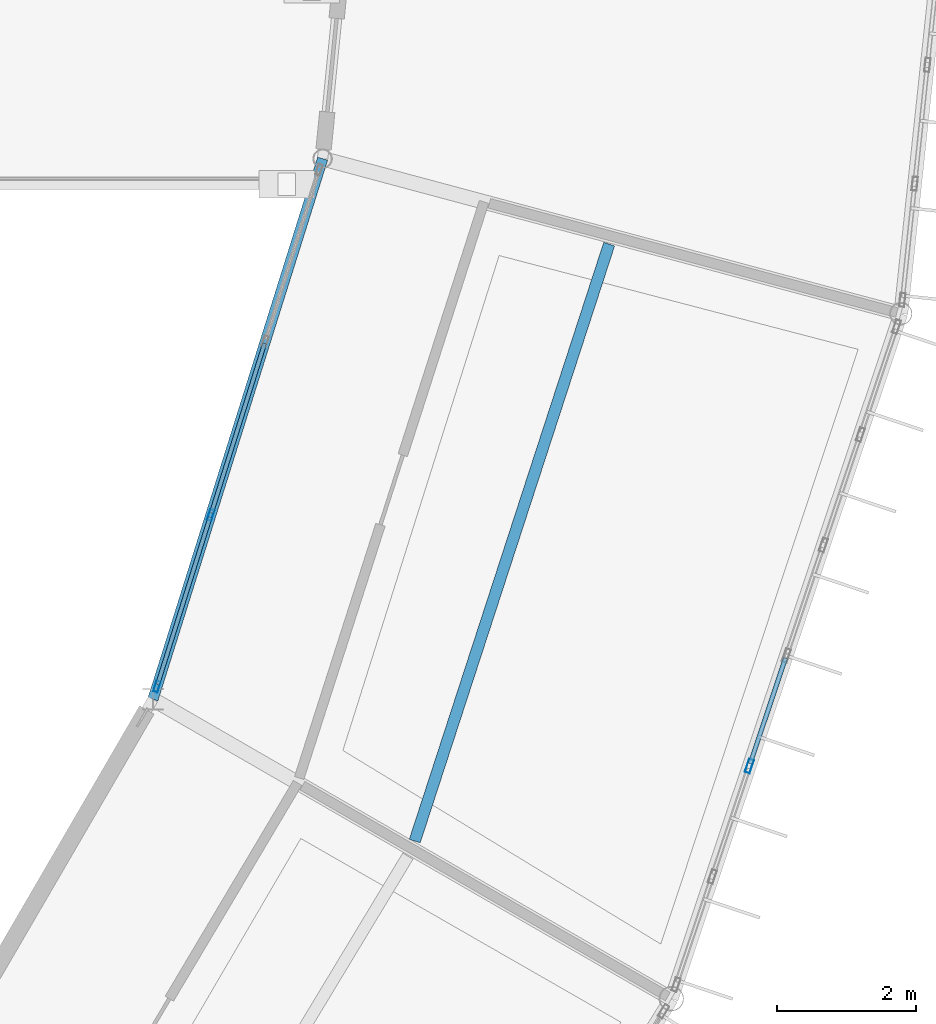
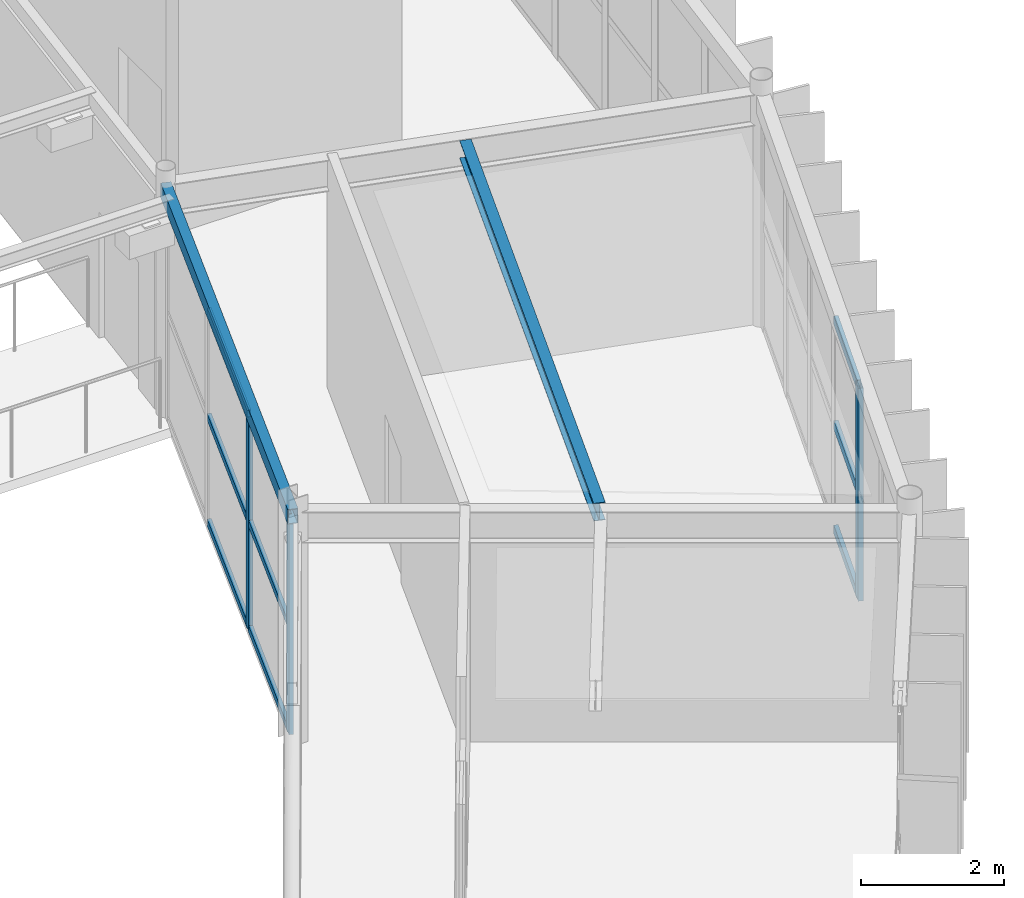
# One storey, part 61 of 148: 12 members, 2 beams, 2 elements without a shape of their own.
"""IFC4 building model written with IfcOpenShell, lengths in metres."""

from ifc_helpers import new_model, si_unit, direction, frame, origin, origin_2d, place, context, subcontext, project, spatial, hollow_rectangle, i_section, extrude, material, material_profile, profile_set, type_object, element, aggregate, save


model = new_model("IFC4")

# Units and contexts
model_context = context("Model", 3, precision=1e-05, world=origin(), true_north=direction((0.0, 1.0)))
body_context = subcontext(model_context, "Body", "Model", "MODEL_VIEW")
ifc_project = project(units=[si_unit("LENGTHUNIT", "METRE"), si_unit("AREAUNIT", "SQUARE_METRE"), si_unit("VOLUMEUNIT", "CUBIC_METRE"), si_unit("PLANEANGLEUNIT", "RADIAN"), si_unit("MASSUNIT", "GRAM", prefix="KILO")], contexts=[model_context])

# Site, building, storey
site_placement = place(None, origin())
site = spatial("IfcSite", under=ifc_project, at=site_placement, CompositionType="ELEMENT")
building_placement = place(site_placement, origin())
building = spatial("IfcBuilding", under=site, at=building_placement, Name="Karori Crest Natural Sciences Institute", CompositionType="ELEMENT")
storey_placement = place(building_placement, frame((0.0, 0.0, 4.89990234375)))
storey = spatial("IfcBuildingStorey", under=building, at=storey_placement, Name="L01", CompositionType="ELEMENT", Elevation=4.89990234375)

# Beams
ifc_material_1 = material(Name="Structural steel AS/NZS 3679.1 Grade 350", Category="steel")
ifc_material_profile_1 = material_profile(ifc_material_1, i_section(OverallWidth=0.1650390625, OverallDepth=0.303955078125, WebThickness=0.006103515625, FlangeThickness=0.01025390625, FilletRadius=0.010986328125, at=origin_2d()), Name="310UB40.4")
ifc_profile_set_1 = profile_set([ifc_material_profile_1], Name="Structural steel AS/NZS 3679.1 Grade 350")
beam_type_1 = type_object("IfcBeamType", Name="BT-10", PredefinedType="BEAM", material=ifc_profile_set_1)
beam_1_placement = place(storey_placement, frame((91.2919921875, 31.76416015625, 3.7880859375), z_axis=(0.309698753032, 0.950834729262, 0.0), x_axis=(-0.950834729262, 0.309698753032, 0.0)))
element("IfcBeam", 1, at=beam_1_placement, inside=storey, type_object=beam_type_1, Name="Beam B-0267", PredefinedType="BEAM", context=body_context, shape_type="SweptSolid", body=[
    extrude(i_section(OverallWidth=0.1650390625, OverallDepth=0.303955078125, WebThickness=0.006103515625, FlangeThickness=0.01025390625, FilletRadius=0.010986328125, at=origin_2d()), origin(), (0.0, 0.0, 1.0), 9.018310546875),
])
ifc_material_2 = material(Name="Hollow structural steel AS/NZS 1163 Grade C350", Category="steel")
ifc_material_profile_2 = material_profile(ifc_material_2, hollow_rectangle(XDim=0.14990234375, YDim=0.25, WallThickness=0.009033203125, at=origin_2d()), Name="RHS250x150x9")
ifc_profile_set_2 = profile_set([ifc_material_profile_2], Name="Hollow structural steel AS/NZS 1163 Grade C350")
beam_type_2 = type_object("IfcBeamType", Name="BT-16", PredefinedType="SPANDREL", material=ifc_profile_set_2)
beam_2_placement = place(storey_placement, frame((87.531005859375, 33.800048828125, 3.7900390625), z_axis=(0.299468576182, 0.954106163841, 0.0), x_axis=(-0.954106163841, 0.299468576182, 0.0)))
element("IfcBeam", 2, at=beam_2_placement, inside=storey, type_object=beam_type_2, Name="Beam B-0265", PredefinedType="SPANDREL", context=body_context, shape_type="SweptSolid", body=[
    extrude(hollow_rectangle(XDim=0.14990234375, YDim=0.25, WallThickness=0.009033203125, at=origin_2d()), origin(), (0.0, 0.0, 1.0), 8.139404296875),
])

# Curtain wall, members
ifc_material_3 = material(Name="Anodised architectural aluminium 6063-T6", Category="aluminium")
curtain_wall_type_1 = type_object("IfcCurtainWallType", Name="CWT-13", PredefinedType="NOTDEFINED", material=ifc_material_3)
curtain_wall_1_placement = place(storey_placement, origin())
curtain_wall_1 = element("IfcCurtainWall", 3, at=curtain_wall_1_placement, inside=storey, type_object=curtain_wall_type_1, Name="Curtain wall CW-0063", PredefinedType="NOTDEFINED")
ifc_material_profile_3 = material_profile(ifc_material_3, hollow_rectangle(XDim=0.06494140625, YDim=0.159912109375, WallThickness=0.00390625, at=origin_2d()), Name="CWM160x65x4")
ifc_profile_set_3 = profile_set([ifc_material_profile_3], Name="Anodised architectural aluminium 6063-T6")
member_type_1 = type_object("IfcMemberType", Name="CWM-01", PredefinedType="MULLION", material=ifc_profile_set_3)
member_1_placement = place(storey_placement, frame((87.58837890625, 33.983154296875, 0.0), z_axis=(0.0, 0.0, 1.0), x_axis=(-0.954103649609, 0.2994765864, 0.0)))
member_1 = element("IfcMember", 4, at=member_1_placement, type_object=member_type_1, Name="CW-0063 mullion 1", PredefinedType="MULLION", context=body_context, shape_type="SweptSolid", body=[
    extrude(hollow_rectangle(XDim=0.06494140625, YDim=0.159912109375, WallThickness=0.00390625, at=origin_2d()), origin(), (0.0, 0.0, 1.0), 3.650146484375),
])
member_2_placement = place(storey_placement, frame((88.36181640625, 36.447265625, 0.0), z_axis=(0.0, 0.0, 1.0), x_axis=(-0.954103649609, 0.2994765864, 0.0)))
member_2 = element("IfcMember", 5, at=member_2_placement, type_object=member_type_1, Name="CW-0063 mullion 2", PredefinedType="MULLION", context=body_context, shape_type="SweptSolid", body=[
    extrude(hollow_rectangle(XDim=0.06494140625, YDim=0.159912109375, WallThickness=0.00390625, at=origin_2d()), origin(), (0.0, 0.0, 1.0), 3.650146484375),
])

# Curtain wall, member
curtain_wall_type_2 = type_object("IfcCurtainWallType", Name="CWT-03", PredefinedType="NOTDEFINED", material=ifc_material_3)
curtain_wall_2_placement = place(storey_placement, origin())
curtain_wall_2 = element("IfcCurtainWall", 6, at=curtain_wall_2_placement, inside=storey, type_object=curtain_wall_type_2, Name="Curtain wall CW-0062", PredefinedType="NOTDEFINED")
ifc_material_profile_4 = material_profile(ifc_material_3, hollow_rectangle(XDim=0.074951171875, YDim=0.199951171875, WallThickness=0.0048828125, at=origin_2d()), Name="CWM200x75x5")
ifc_profile_set_4 = profile_set([ifc_material_profile_4], Name="Anodised architectural aluminium 6063-T6")
member_type_2 = type_object("IfcMemberType", Name="CWM-02", PredefinedType="MULLION", material=ifc_profile_set_4)
member_3_placement = place(storey_placement, frame((96.097900390625, 32.840576171875, 0.0), z_axis=(0.0, 0.0, 1.0), x_axis=(0.948196219586, -0.317685267462, 0.0)))
member_3 = element("IfcMember", 7, at=member_3_placement, type_object=member_type_2, Name="CW-0062 mullion 5", PredefinedType="MULLION", context=body_context, shape_type="SweptSolid", body=[
    extrude(hollow_rectangle(XDim=0.074951171875, YDim=0.199951171875, WallThickness=0.0048828125, at=origin_2d()), origin(), (0.0, 0.0, 1.0), 3.625),
])

# Member
ifc_material_profile_5 = material_profile(ifc_material_3, hollow_rectangle(XDim=0.06005859375, YDim=0.1201171875, WallThickness=0.00390625, at=origin_2d()), Name="CWT120x60x4")
ifc_profile_set_5 = profile_set([ifc_material_profile_5], Name="Anodised architectural aluminium 6063-T6")
member_type_3 = type_object("IfcMemberType", Name="CWT-TR1", PredefinedType="USERDEFINED", material=ifc_profile_set_5)
member_4_placement = place(storey_placement, frame((87.59814453125, 34.01416015625, 0.030029296875), z_axis=(0.299450859361, 0.9541117245, 0.0), x_axis=(-0.9541117245, 0.299450859361, 0.0)))
member_4 = element("IfcMember", 8, at=member_4_placement, type_object=member_type_3, Name="CW-0063 transom 1.1", ObjectType="TRANSOM", PredefinedType="USERDEFINED", context=body_context, shape_type="SweptSolid", body=[
    extrude(hollow_rectangle(XDim=0.06005859375, YDim=0.1201171875, WallThickness=0.00390625, at=origin_2d()), origin(), (0.0, 0.0, 1.0), 2.517578125),
])

member_5_placement = place(storey_placement, frame((87.59814453125, 34.01416015625, 1.8251953125), z_axis=(0.299450859361, 0.9541117245, 0.0), x_axis=(-0.9541117245, 0.299450859361, 0.0)))
member_5 = element("IfcMember", 9, at=member_5_placement, type_object=member_type_3, Name="CW-0063 transom 1.2", ObjectType="TRANSOM", PredefinedType="USERDEFINED", context=body_context, shape_type="SweptSolid", body=[
    extrude(hollow_rectangle(XDim=0.06005859375, YDim=0.1201171875, WallThickness=0.00390625, at=origin_2d()), origin(), (0.0, 0.0, 1.0), 2.517578125),
])

member_6_placement = place(storey_placement, frame((87.59814453125, 34.01416015625, 3.6201171875), z_axis=(0.299450859361, 0.9541117245, 0.0), x_axis=(-0.9541117245, 0.299450859361, 0.0)))
member_6 = element("IfcMember", 10, at=member_6_placement, type_object=member_type_3, Name="CW-0063 transom 1.3", ObjectType="TRANSOM", PredefinedType="USERDEFINED", context=body_context, shape_type="SweptSolid", body=[
    extrude(hollow_rectangle(XDim=0.06005859375, YDim=0.1201171875, WallThickness=0.00390625, at=origin_2d()), origin(), (0.0, 0.0, 1.0), 2.517578125),
])

member_7_placement = place(storey_placement, frame((88.37158203125, 36.478271484375, 0.030029296875), z_axis=(0.299463118482, 0.954107876851, 0.0), x_axis=(-0.954107876851, 0.299463118482, 0.0)))
member_7 = element("IfcMember", 11, at=member_7_placement, type_object=member_type_3, Name="CW-0063 transom 2.1", ObjectType="TRANSOM", PredefinedType="USERDEFINED", context=body_context, shape_type="SweptSolid", body=[
    extrude(hollow_rectangle(XDim=0.06005859375, YDim=0.1201171875, WallThickness=0.00390625, at=origin_2d()), origin(), (0.0, 0.0, 1.0), 2.550048828125),
])

member_8_placement = place(storey_placement, frame((88.37158203125, 36.478271484375, 1.8251953125), z_axis=(0.299463118482, 0.954107876851, 0.0), x_axis=(-0.954107876851, 0.299463118482, 0.0)))
member_8 = element("IfcMember", 12, at=member_8_placement, type_object=member_type_3, Name="CW-0063 transom 2.2", ObjectType="TRANSOM", PredefinedType="USERDEFINED", context=body_context, shape_type="SweptSolid", body=[
    extrude(hollow_rectangle(XDim=0.06005859375, YDim=0.1201171875, WallThickness=0.00390625, at=origin_2d()), origin(), (0.0, 0.0, 1.0), 2.550048828125),
])

member_9_placement = place(storey_placement, frame((88.37158203125, 36.478271484375, 3.6201171875), z_axis=(0.299463118482, 0.954107876851, 0.0), x_axis=(-0.954107876851, 0.299463118482, 0.0)))
member_9 = element("IfcMember", 13, at=member_9_placement, type_object=member_type_3, Name="CW-0063 transom 2.3", ObjectType="TRANSOM", PredefinedType="USERDEFINED", context=body_context, shape_type="SweptSolid", body=[
    extrude(hollow_rectangle(XDim=0.06005859375, YDim=0.1201171875, WallThickness=0.00390625, at=origin_2d()), origin(), (0.0, 0.0, 1.0), 2.550048828125),
])

aggregate(curtain_wall_1, [member_1, member_2, member_4, member_5, member_6, member_7, member_8, member_9])

ifc_material_profile_6 = material_profile(ifc_material_3, hollow_rectangle(XDim=0.06494140625, YDim=0.14990234375, WallThickness=0.00390625, at=origin_2d()), Name="CWT150x65x4")
ifc_profile_set_6 = profile_set([ifc_material_profile_6], Name="Anodised architectural aluminium 6063-T6")
member_type_4 = type_object("IfcMemberType", Name="CWT-TR2", PredefinedType="USERDEFINED", material=ifc_profile_set_6)
member_10_placement = place(storey_placement, frame((96.61767578125, 34.39208984375, 0.03271484375), z_axis=(-0.317647663217, -0.948208817747, 0.0), x_axis=(0.948208817747, -0.317647663217, 0.0)))
member_10 = element("IfcMember", 14, at=member_10_placement, type_object=member_type_4, Name="CW-0062 transom 4.1", ObjectType="TRANSOM", PredefinedType="USERDEFINED", context=body_context, shape_type="SweptSolid", body=[
    extrude(hollow_rectangle(XDim=0.06494140625, YDim=0.14990234375, WallThickness=0.00390625, at=origin_2d()), origin(), (0.0, 0.0, 1.0), 1.5986328125),
])

member_11_placement = place(storey_placement, frame((96.61767578125, 34.39208984375, 1.8125), z_axis=(-0.317647663217, -0.948208817747, 0.0), x_axis=(0.948208817747, -0.317647663217, 0.0)))
member_11 = element("IfcMember", 15, at=member_11_placement, type_object=member_type_4, Name="CW-0062 transom 4.2", ObjectType="TRANSOM", PredefinedType="USERDEFINED", context=body_context, shape_type="SweptSolid", body=[
    extrude(hollow_rectangle(XDim=0.06494140625, YDim=0.14990234375, WallThickness=0.00390625, at=origin_2d()), origin(), (0.0, 0.0, 1.0), 1.5986328125),
])

member_12_placement = place(storey_placement, frame((96.61767578125, 34.39208984375, 3.592529296875), z_axis=(-0.317647663217, -0.948208817747, 0.0), x_axis=(0.948208817747, -0.317647663217, 0.0)))
member_12 = element("IfcMember", 16, at=member_12_placement, type_object=member_type_4, Name="CW-0062 transom 4.3", ObjectType="TRANSOM", PredefinedType="USERDEFINED", context=body_context, shape_type="SweptSolid", body=[
    extrude(hollow_rectangle(XDim=0.06494140625, YDim=0.14990234375, WallThickness=0.00390625, at=origin_2d()), origin(), (0.0, 0.0, 1.0), 1.5986328125),
])

aggregate(curtain_wall_2, [member_3, member_10, member_11, member_12])

save(model, "model.ifc")
